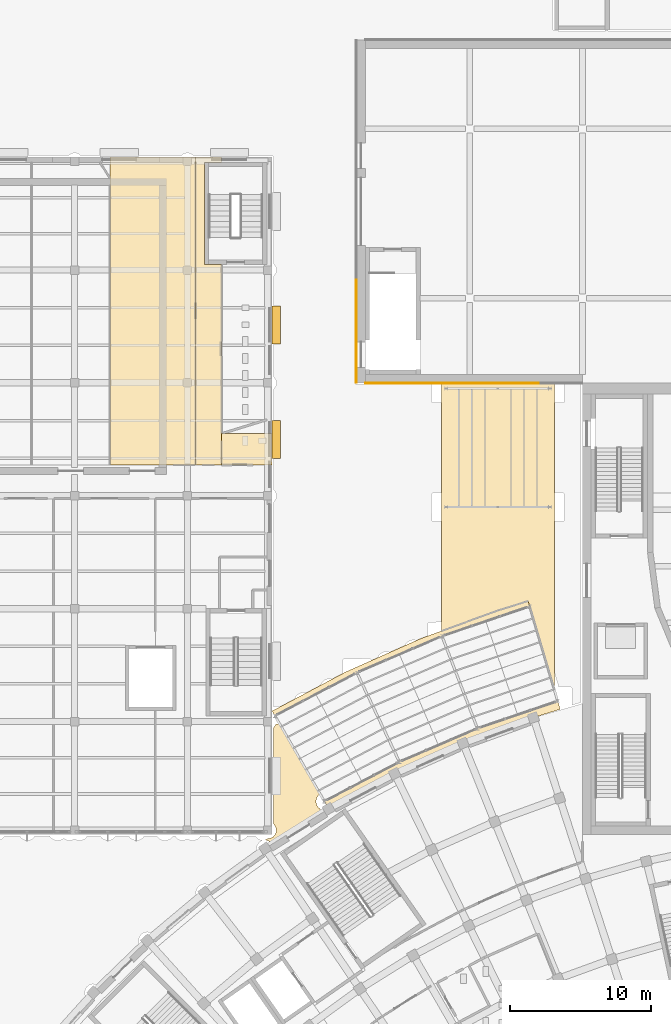
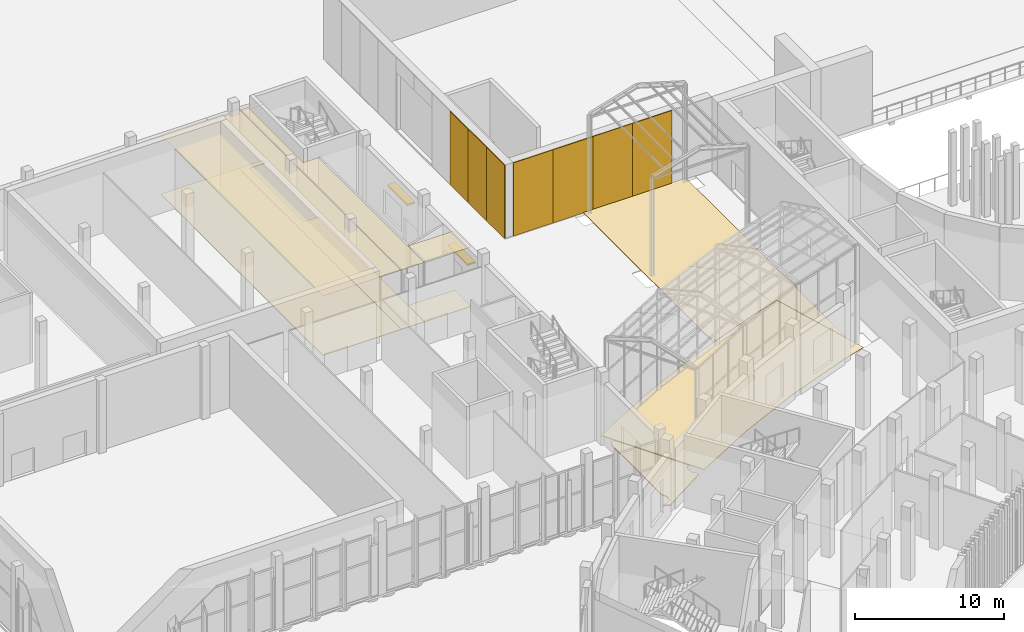
# One storey, part 129 of 155: 16 coverings, 2 shading devices.
"""IFC4 building model written with IfcOpenShell, lengths in metres."""

from ifc_helpers import new_model, si_unit, direction, frame, origin, origin_2d, place, context, subcontext, project, spatial, polyline, rectangle, outline, extrude, material, layer, layer_set, type_object, element, save


model = new_model("IFC4")

# Units and contexts
model_context = context("Model", 3, precision=1e-05, world=origin(), true_north=direction((0.0, 1.0)))
body_context = subcontext(model_context, "Body", "Model", "MODEL_VIEW")
ifc_project = project(units=[si_unit("LENGTHUNIT", "METRE"), si_unit("AREAUNIT", "SQUARE_METRE"), si_unit("VOLUMEUNIT", "CUBIC_METRE"), si_unit("PLANEANGLEUNIT", "RADIAN"), si_unit("MASSUNIT", "GRAM", prefix="KILO")], contexts=[model_context])

# Site, building, storey
site_placement = place(None, origin())
site = spatial("IfcSite", under=ifc_project, at=site_placement, CompositionType="ELEMENT")
building_placement = place(site_placement, origin())
building = spatial("IfcBuilding", under=site, at=building_placement, Name="Lunette Opera House", CompositionType="ELEMENT")
storey_placement = place(building_placement, origin())
storey = spatial("IfcBuildingStorey", under=building, at=storey_placement, Name="L00", CompositionType="ELEMENT", Elevation=0.0)

# Coverings
ifc_material_1 = material(Name="Granite paving setts", Category="masonry")
ifc_layer_1 = layer(ifc_material_1, 0.080078125)
ifc_layer_set_1 = layer_set([ifc_layer_1], Name="Granite paving setts")
covering_type_1 = type_object("IfcCoveringType", Name="PLAZA PAVING 80", PredefinedType="FLOORING", material=ifc_layer_set_1)
covering_1_placement = place(storey_placement, frame((0.0, 0.0, -0.080078125)))
element("IfcCovering", 1, at=covering_1_placement, inside=storey, type_object=covering_type_1, Name="Plaza paving 002", PredefinedType="FLOORING", context=body_context, shape_type="SweptSolid", body=[
    extrude(outline(polyline([(58.64306640625, 74.544921875), (59.009033203125, 74.738037109375), (59.012939453125, 74.527099609375), (59.09912109375, 74.4560546875), (60.947021484375, 74.464111328125), (61.009033203125, 74.5458984375), (61.009033203125, 75.699951171875), (61.60400390625, 75.9560546875), (61.781982421875, 75.81005859375), (61.947998046875, 75.7509765625), (62.1240234375, 75.741943359375), (62.294921875, 75.784912109375), (62.47412109375, 75.886962890625), (62.592041015625, 76.01806640625), (62.680908203125, 76.23388671875), (62.68798828125, 76.422119140625), (63.52197265625, 76.780029296875), (63.700927734375, 76.635009765625), (63.866943359375, 76.574951171875), (64.0419921875, 76.56689453125), (64.212890625, 76.60888671875), (64.39208984375, 76.7119140625), (64.510009765625, 76.842041015625), (64.60009765625, 77.05810546875), (64.60693359375, 77.24609375), (65.0400390625, 77.43310546875), (65.0419921875, 77.126953125), (65.1201171875, 77.049072265625), (66.97802734375, 77.054931640625), (67.0400390625, 77.136962890625), (67.0400390625, 78.20703125), (67.669921875, 78.4208984375), (67.825927734375, 78.26708984375), (67.985107421875, 78.19189453125), (68.158935546875, 78.166015625), (68.333984375, 78.19189453125), (68.52099609375, 78.277099609375), (68.652099609375, 78.39501953125), (68.761962890625, 78.60205078125), (68.787109375, 78.800048828125), (69.64697265625, 79.092041015625), (69.802978515625, 78.93896484375), (69.9619140625, 78.864013671875), (70.136962890625, 78.837890625), (70.339111328125, 78.873046875), (70.5458984375, 78.98388671875), (70.6640625, 79.114013671875), (70.739013671875, 79.27294921875), (70.763916015625, 79.470947265625), (71.256103515625, 79.637939453125), (71.256103515625, 79.2470703125), (71.30908203125, 79.1689453125), (72.18701171875, 79.156982421875), (73.5830078125, 74.446044921875), (73.323974609375, 74.444091796875), (73.248046875, 74.375), (73.243896484375, 73.285888671875), (72.81591796875, 73.14111328125), (72.659912109375, 73.2939453125), (72.5009765625, 73.368896484375), (72.326904296875, 73.39501953125), (72.153076171875, 73.368896484375), (71.965087890625, 73.283935546875), (71.8349609375, 73.166015625), (71.72412109375, 72.9599609375), (71.699951171875, 72.760986328125), (71.012939453125, 72.528076171875), (70.85595703125, 72.680908203125), (70.697021484375, 72.756103515625), (70.52294921875, 72.781982421875), (70.320068359375, 72.7470703125), (70.160888671875, 72.672119140625), (69.99609375, 72.506103515625), (69.9208984375, 72.346923828125), (69.89599609375, 72.14892578125), (69.237060546875, 71.925048828125), (69.0810546875, 72.077880859375), (68.864990234375, 72.16796875), (68.631103515625, 72.16796875), (68.319091796875, 72.06591796875), (68.050048828125, 71.93994140625), (67.919921875, 71.822021484375), (67.80908203125, 71.614990234375), (67.7880859375, 71.3701171875), (67.14990234375, 71.095947265625), (66.970947265625, 71.241943359375), (66.805908203125, 71.301025390625), (66.6298828125, 71.31005859375), (66.430908203125, 71.2548828125), (66.237060546875, 71.125), (66.132080078125, 70.98388671875), (66.072998046875, 70.818115234375), (66.06591796875, 70.6298828125), (65.39990234375, 70.343994140625), (65.220947265625, 70.489990234375), (65.055908203125, 70.549072265625), (64.8798828125, 70.55810546875), (64.680908203125, 70.5029296875), (64.487060546875, 70.373046875), (64.382080078125, 70.23193359375), (64.322998046875, 70.06591796875), (64.31591796875, 69.8779296875), (63.677978515625, 69.60400390625), (63.4990234375, 69.75), (63.27490234375, 69.818115234375), (63.0419921875, 69.794921875), (62.79296875, 69.69189453125), (62.530029296875, 69.552978515625), (62.364990234375, 69.386962890625), (62.27490234375, 69.1708984375), (62.27490234375, 68.93701171875), (61.660888671875, 68.613037109375), (61.513916015625, 68.72412109375), (61.2900390625, 68.7919921875), (61.114013671875, 68.783935546875), (60.9208984375, 68.7099609375), (60.780029296875, 68.60595703125), (60.64990234375, 68.410888671875), (60.60693359375, 68.239990234375), (60.615966796875, 68.06396484375), (59.97509765625, 67.72705078125), (59.827880859375, 67.837890625), (59.60400390625, 67.906005859375), (59.427978515625, 67.89697265625), (59.236083984375, 67.823974609375), (59.093994140625, 67.718994140625), (58.964111328125, 67.52392578125), (58.922119140625, 67.35302734375), (58.929931640625, 67.177001953125), (58.31591796875, 66.85400390625), (58.115966796875, 66.989990234375), (57.885986328125, 67.035888671875), (57.656005859375, 66.989990234375), (57.4169921875, 66.866943359375), (57.27587890625, 66.761962890625), (57.1708984375, 66.62109375), (57.10009765625, 66.337890625), (57.1708984375, 66.054931640625), (57.27587890625, 65.9140625), (57.39990234375, 65.819091796875), (57.445068359375, 65.590087890625), (53.948974609375, 63.405029296875), (53.73095703125, 63.56103515625), (53.506103515625, 63.60693359375), (53.695068359375, 63.699951171875), (53.929931640625, 63.74609375), (54.0810546875, 63.8359375), (54.22900390625, 64.01708984375), (54.297119140625, 64.240966796875), (54.25390625, 64.530029296875), (54.10009765625, 64.74609375), (54.10009765625, 71.553955078125), (54.26611328125, 71.803955078125), (54.429931640625, 71.845947265625), (54.6689453125, 71.968994140625), (54.85009765625, 72.116943359375), (54.97509765625, 72.381103515625), (54.97412109375, 72.614990234375), (55.7509765625, 73.02392578125), (55.89794921875, 72.9130859375), (56.06396484375, 72.85400390625), (56.239013671875, 72.844970703125), (56.464111328125, 72.9130859375), (56.631103515625, 73.031982421875), (56.736083984375, 73.173095703125), (56.803955078125, 73.39697265625), (56.7958984375, 73.572998046875), (57.59912109375, 73.99609375), (57.799072265625, 73.860107421875), (58.028076171875, 73.81396484375), (58.258056640625, 73.860107421875), (58.43603515625, 73.964111328125), (58.553955078125, 74.094970703125), (58.62890625, 74.25390625), (58.64306640625, 74.544921875)])), origin(), (0.0, 0.0, 1.0), 0.080078125),
])
ifc_material_2 = material(Name="Aluminium standing seam cladding", Category="aluminium")
ifc_layer_2 = layer(ifc_material_2, 0.06005859375)
ifc_layer_set_2 = layer_set([ifc_layer_2], Name="Aluminium standing seam cladding")
covering_type_2 = type_object("IfcCoveringType", Name="STANDING SEAM CLADDING 60", PredefinedType="CLADDING", material=ifc_layer_set_2)
for number, where, z_axis, x_axis, name in (
    (2, (59.969970703125, 97.218994140625, 0.0), (0.0, 0.0, 1.0), (0.0, 1.0, 0.0), "Standing seam cladding SW-W-1 L00 00"),
    (3, (59.969970703125, 99.656005859375, 0.0), (0.0, 0.0, 1.0), (0.0, 1.0, 0.0), "Standing seam cladding SW-W-1 L00 01"),
    (4, (59.969970703125, 102.093994140625, 0.0), (0.0, 0.0, 1.0), (0.0, 1.0, 0.0), "Standing seam cladding SW-W-1 L00 02"),
):
    element("IfcCovering", number, at=place(storey_placement, frame(where, z_axis=z_axis, x_axis=x_axis)), inside=storey, type_object=covering_type_2, Name=name, PredefinedType="CLADDING", context=body_context, shape_type="SweptSolid", body=[
        extrude(rectangle(XDim=2.43701171875, YDim=0.06005859375, at=origin_2d()), origin(), (0.0, 0.0, 1.0), 6.0),
    ])
for number, where, z_axis, x_axis, name in (
    (5, (62.138916015625, 95.969970703125, 0.0), (0.0, 0.0, 1.0), (1.0, 0.0, 0.0), "Standing seam cladding SW-S-1 L00 00"),
    (6, (65.217041015625, 95.969970703125, 0.0), (0.0, 0.0, 1.0), (1.0, 0.0, 0.0), "Standing seam cladding SW-S-1 L00 01"),
    (7, (68.294921875, 95.969970703125, 0.0), (0.0, 0.0, 1.0), (1.0, 0.0, 0.0), "Standing seam cladding SW-S-1 L00 02"),
    (8, (71.373046875, 95.969970703125, 0.0), (0.0, 0.0, 1.0), (1.0, 0.0, 0.0), "Standing seam cladding SW-S-1 L00 03"),
):
    element("IfcCovering", number, at=place(storey_placement, frame(where, z_axis=z_axis, x_axis=x_axis)), inside=storey, type_object=covering_type_2, Name=name, PredefinedType="CLADDING", context=body_context, shape_type="SweptSolid", body=[
        extrude(rectangle(XDim=3.077880859375, YDim=0.06005859375, at=origin_2d()), origin(), (0.0, 0.0, 1.0), 6.0),
    ])
ifc_material_3 = material(Name="Mineral fibre board")
ifc_layer_3 = layer(ifc_material_3, 0.014892578125)
ifc_layer_set_3 = layer_set([ifc_layer_3], Name="Mineral fibre board")
covering_type_3 = type_object("IfcCoveringType", Name="SUSPENDED ACOUSTIC CEILING 15", PredefinedType="CEILING", material=ifc_layer_set_3)
covering_2_placement = place(storey_placement, frame((0.0, 0.0, 4.885009765625)))
element("IfcCovering", 9, at=covering_2_placement, inside=storey, type_object=covering_type_3, Name="Ceiling Chorus Dressing Rooms", PredefinedType="CEILING", context=body_context, shape_type="SweptSolid", body=[
    extrude(outline(polyline([(42.512939453125, 112.0), (48.583984375, 112.0), (48.583984375, 90.199951171875), (42.512939453125, 90.199951171875), (42.512939453125, 112.0)])), origin(), (0.0, 0.0, 1.0), 0.014892578125),
])
covering_3_placement = place(storey_placement, frame((0.0, 0.0, 4.885009765625)))
element("IfcCovering", 10, at=covering_3_placement, inside=storey, type_object=covering_type_3, Name="Ceiling Stage Door Lodge", PredefinedType="CEILING", context=body_context, shape_type="SweptSolid", body=[
    extrude(outline(polyline([(48.583984375, 90.199951171875), (48.583984375, 112.0), (50.39892578125, 112.0), (50.39892578125, 111.635009765625), (49.199951171875, 111.635009765625), (49.199951171875, 104.39990234375), (50.39892578125, 104.39990234375), (50.39892578125, 90.199951171875), (48.583984375, 90.199951171875)])), origin(), (0.0, 0.0, 1.0), 0.014892578125),
])
covering_4_placement = place(storey_placement, frame((0.0, 0.0, 4.885009765625)))
element("IfcCovering", 11, at=covering_4_placement, inside=storey, type_object=covering_type_3, Name="Ceiling Accessible WC Rehearsal", PredefinedType="CEILING", context=body_context, shape_type="SweptSolid", body=[
    extrude(outline(polyline([(50.39892578125, 90.199951171875), (50.39892578125, 92.422119140625), (54.0, 92.422119140625), (54.0, 90.199951171875), (50.39892578125, 90.199951171875)])), origin(), (0.0, 0.0, 1.0), 0.014892578125),
])
ifc_material_4 = material(Name="Ceramic tile")
ifc_layer_4 = layer(ifc_material_4, 0.02490234375)
ifc_layer_set_4 = layer_set([ifc_layer_4], Name="Ceramic tile")
covering_type_4 = type_object("IfcCoveringType", Name="TILED FLOOR FINISH 25", PredefinedType="FLOORING", material=ifc_layer_set_4)
covering_5_placement = place(storey_placement, origin())
element("IfcCovering", 12, at=covering_5_placement, inside=storey, type_object=covering_type_4, Name="Floor finish Accessible WC Rehearsal", PredefinedType="FLOORING", context=body_context, shape_type="SweptSolid", body=[
    extrude(outline(polyline([(50.39892578125, 90.199951171875), (50.39892578125, 92.422119140625), (54.0, 92.422119140625), (54.0, 90.199951171875), (50.39892578125, 90.199951171875)])), origin(), (0.0, 0.0, 1.0), 0.02490234375),
])
ifc_material_5 = material(Name="Timber", Category="wood")
ifc_layer_5 = layer(ifc_material_5, 0.0400390625)
ifc_layer_set_5 = layer_set([ifc_layer_5], Name="Timber")
covering_type_5 = type_object("IfcCoveringType", Name="TIMBER FLOOR FINISH 40", PredefinedType="FLOORING", material=ifc_layer_set_5)
covering_6_placement = place(storey_placement, origin())
element("IfcCovering", 13, at=covering_6_placement, inside=storey, type_object=covering_type_5, Name="Floor finish Chorus Dressing Rooms", PredefinedType="FLOORING", context=body_context, shape_type="SweptSolid", body=[
    extrude(outline(polyline([(42.512939453125, 112.0), (48.583984375, 112.0), (48.583984375, 90.199951171875), (42.512939453125, 90.199951171875), (42.512939453125, 112.0)])), origin(), (0.0, 0.0, 1.0), 0.0400390625),
])
covering_7_placement = place(storey_placement, origin())
element("IfcCovering", 14, at=covering_7_placement, inside=storey, type_object=covering_type_5, Name="Floor finish Stage Door Lodge", PredefinedType="FLOORING", context=body_context, shape_type="SweptSolid", body=[
    extrude(outline(polyline([(48.583984375, 90.199951171875), (48.583984375, 112.0), (50.39892578125, 112.0), (50.39892578125, 111.635009765625), (49.199951171875, 111.635009765625), (49.199951171875, 104.39990234375), (50.39892578125, 104.39990234375), (50.39892578125, 90.199951171875), (48.583984375, 90.199951171875)])), origin(), (0.0, 0.0, 1.0), 0.0400390625),
])
covering_8_placement = place(storey_placement, origin())
element("IfcCovering", 15, at=covering_8_placement, inside=storey, type_object=covering_type_5, Name="Floor finish Public Passage South", PredefinedType="FLOORING", context=body_context, shape_type="SweptSolid", body=[
    extrude(outline(polyline([(74.0, 74.27099609375), (72.14306640625, 80.541015625), (70.04296875, 79.888916015625), (66.0, 78.4169921875), (66.0, 96.0), (74.0, 96.0), (74.0, 74.27099609375)])), origin(), (0.0, 0.0, 1.0), 0.0400390625),
])
covering_9_placement = place(storey_placement, origin())
element("IfcCovering", 16, at=covering_9_placement, inside=storey, type_object=covering_type_5, Name="Floor finish Public Passage West", PredefinedType="FLOORING", context=body_context, shape_type="SweptSolid", body=[
    extrude(outline(polyline([(64.532958984375, 77.883056640625), (70.04296875, 79.888916015625), (72.14306640625, 80.541015625), (74.4150390625, 72.8701171875), (72.514892578125, 72.280029296875), (67.530029296875, 70.466064453125), (62.68408203125, 68.30810546875), (58.0, 65.818115234375), (54.0, 72.74609375), (59.177001953125, 75.4990234375), (64.532958984375, 77.883056640625)])), origin(), (0.0, 0.0, 1.0), 0.0400390625),
])

# Shading devices
ifc_material_6 = material(Name="Powder-coated aluminium", Category="aluminium")
ifc_layer_6 = layer(ifc_material_6, 0.1201171875)
ifc_layer_set_6 = layer_set([ifc_layer_6], Name="Powder-coated aluminium")
shading_device_type = type_object("IfcShadingDeviceType", Name="WINDOW HOOD 600 X 2700", PredefinedType="USERDEFINED", material=ifc_layer_set_6)
for number, where, z_axis, x_axis, name in (
    (17, (54.300048828125, 92.0, 3.079833984375), (0.0, 0.0, 1.0), (1.0, 0.0, 0.0), "Window hood RW-N2010"),
    (18, (54.300048828125, 100.10009765625, 3.079833984375), (0.0, 0.0, 1.0), (1.0, 0.0, 0.0), "Window hood RW-N2011"),
):
    element("IfcShadingDevice", number, at=place(storey_placement, frame(where, z_axis=z_axis, x_axis=x_axis)), inside=storey, type_object=shading_device_type, Name=name, ObjectType="WINDOW HOOD", PredefinedType="USERDEFINED", context=body_context, shape_type="SweptSolid", body=[
        extrude(rectangle(XDim=0.60009765625, YDim=2.699951171875, at=origin_2d()), origin(), (0.0, 0.0, 1.0), 0.1201171875),
    ])

save(model, "model.ifc")
